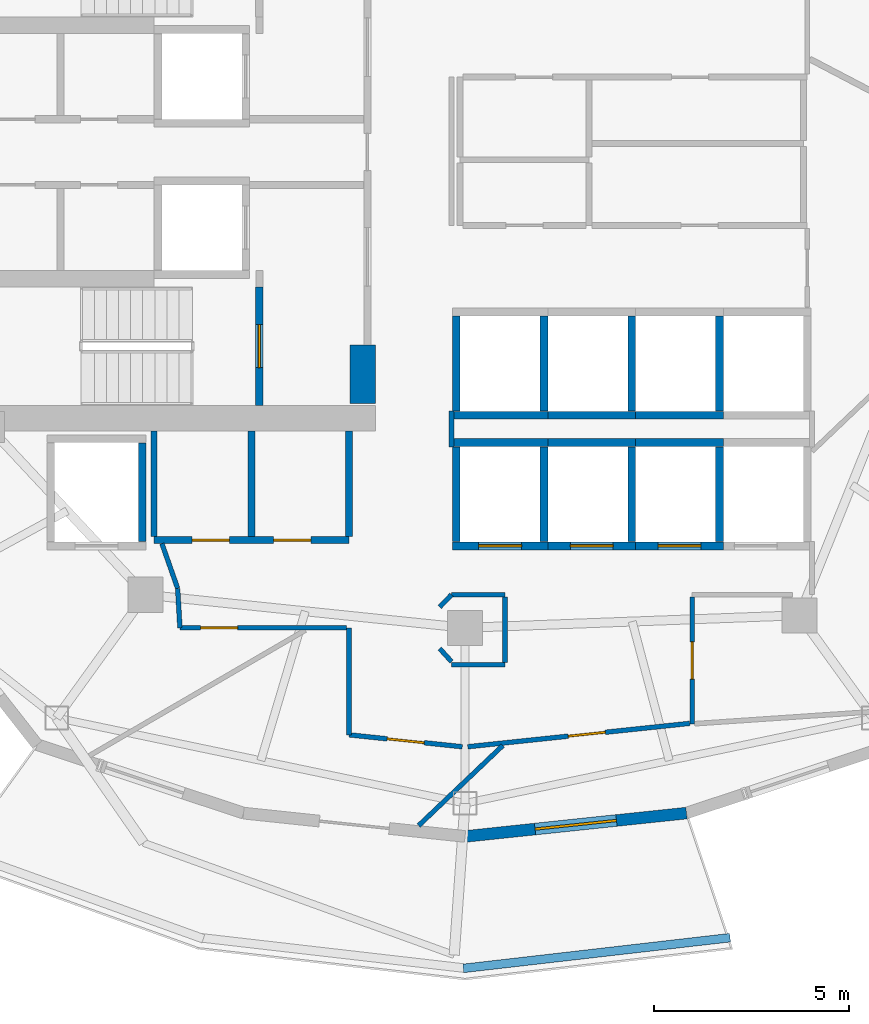
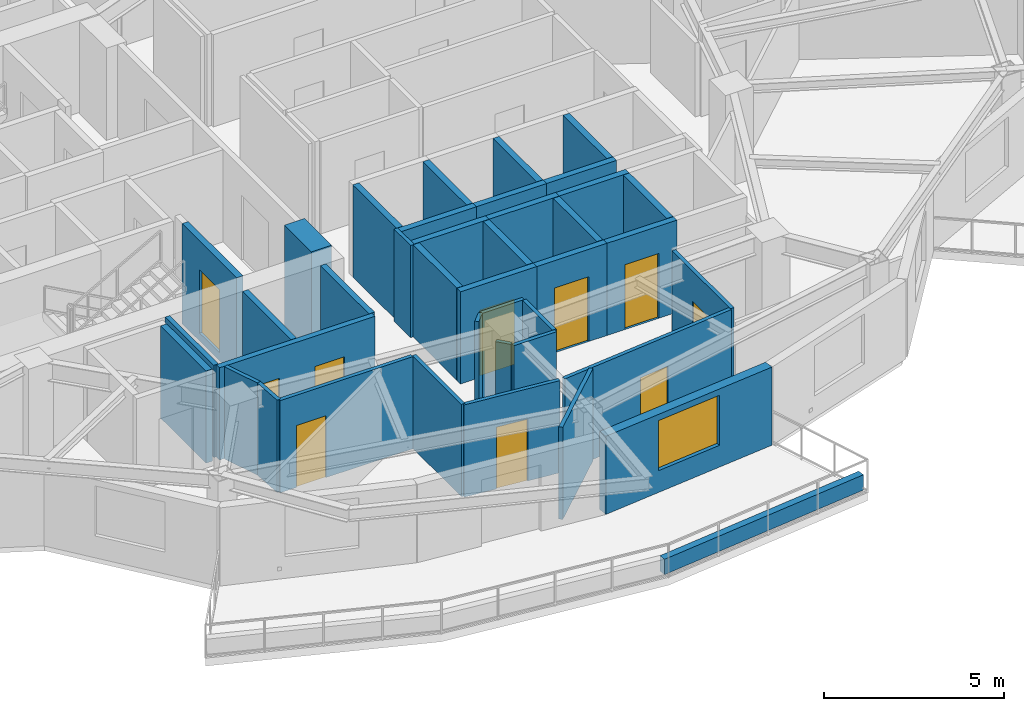
# One storey, part 3 of 11: 40 walls, 10 doors, 1 window, 11 openings.
"""IFC4 building model written with IfcOpenShell, lengths in metres."""

from ifc_helpers import new_model, si_unit, direction, frame, frame_2d, origin, place, context, subcontext, project, spatial, rectangle, extrude, material, layer, layer_set, type_object, element, fill, save


model = new_model("IFC4")

# Units and contexts
model_context = context("Model", 3, precision=1e-05, world=origin(), true_north=direction((0.0, 1.0)))
body_context = subcontext(model_context, "Body", "Model", "MODEL_VIEW")
ifc_project = project(units=[si_unit("LENGTHUNIT", "METRE"), si_unit("AREAUNIT", "SQUARE_METRE"), si_unit("VOLUMEUNIT", "CUBIC_METRE"), si_unit("PLANEANGLEUNIT", "RADIAN"), si_unit("MASSUNIT", "GRAM", prefix="KILO")], contexts=[model_context])

# Site, building, storey
site_placement = place(None, origin())
site = spatial("IfcSite", under=ifc_project, at=site_placement, CompositionType="ELEMENT")
building_placement = place(site_placement, origin())
building = spatial("IfcBuilding", under=site, at=building_placement, Name="Kolvaren Gate Tower and Convention Centre", CompositionType="ELEMENT")
storey_placement = place(building_placement, frame((0.0, 0.0, 159.699951171875)))
storey = spatial("IfcBuildingStorey", under=building, at=storey_placement, Name="L41", CompositionType="ELEMENT", Elevation=159.699951171875)

# Wall, openings, doors
ifc_material_1 = material(Name="Autoclaved Aerated Masonry Blockwork Class 4 (4.0 MPa)", Category="masonry")
ifc_layer_1 = layer(ifc_material_1, 0.179931640625)
ifc_layer_set_1 = layer_set([ifc_layer_1], Name="Autoclaved Aerated Masonry Blockwork Class 4 (4.0 MPa)")
wall_type_1 = type_object("IfcWallType", Name="ARCH-WL-COMP-180", PredefinedType="SOLIDWALL", material=ifc_layer_set_1)
wall_1_placement = place(storey_placement, frame((22.14990234375, 17.050048828125, 0.0), z_axis=(0.0, 0.0, 1.0), x_axis=(1.0, 0.0, 0.0)))
wall_1 = element("IfcWall", 1, at=wall_1_placement, inside=storey, type_object=wall_type_1, Name="Interior Partition WL-L41-INT-011", PredefinedType="SOLIDWALL", context=body_context, shape_type="SweptSolid", body=[
    extrude(rectangle(XDim=5.0, YDim=0.179931640625, at=frame_2d((2.5, 0.0))), origin(), (0.0, 0.0, 1.0), 3.130126953125),
])
opening_1_placement = place(wall_1_placement, frame((0.97998046875, 0.0, 0.0)))
opening_1 = element("IfcOpeningElement", 2, at=opening_1_placement, cuts=wall_1, Name="Opening DR-01", PredefinedType="OPENING", context=body_context, shape_type="SweptSolid", body=[
    extrude(rectangle(XDim=0.949951171875, YDim=2.10009765625, at=frame_2d((0.47509765625, 1.050048828125))), frame((0.0, 0.099853515625, 0.0), z_axis=(0.0, -1.0, 0.0), x_axis=(1.0, 0.0, 0.0)), (0.0, 0.0, 1.0), 0.199951171875),
])
opening_2_placement = place(wall_1_placement, frame((3.070068359375, 0.0, 0.0)))
opening_2 = element("IfcOpeningElement", 3, at=opening_2_placement, cuts=wall_1, Name="Opening DR-01", PredefinedType="OPENING", context=body_context, shape_type="SweptSolid", body=[
    extrude(rectangle(XDim=0.949951171875, YDim=2.10009765625, at=frame_2d((0.47509765625, 1.050048828125))), frame((0.0, 0.099853515625, 0.0), z_axis=(0.0, -1.0, 0.0), x_axis=(1.0, 0.0, 0.0)), (0.0, 0.0, 1.0), 0.199951171875),
])
ifc_material_2 = material(Name="Painted Architectural Steelwork ASTM A500 Grade C 345 MPa", Category="steel")
door_type_1 = type_object("IfcDoorType", Name="ARCH-DR-RISER-950", OperationType="SINGLE_SWING_RIGHT", PredefinedType="DOOR", material=ifc_material_2)
door_1_placement = place(opening_1_placement, origin())
door_1 = element("IfcDoor", 4, at=door_1_placement, inside=storey, type_object=door_type_1, Name="West Valet Store Door", OperationType="SINGLE_SWING_RIGHT", OverallHeight=2.10009765625, OverallWidth=0.949951171875, PredefinedType="DOOR", context=body_context, shape_type="SweptSolid", body=[
    extrude(rectangle(XDim=0.949951171875, YDim=2.10009765625, at=frame_2d((0.47509765625, 1.050048828125))), frame((0.0, 0.02490234375, 0.0), z_axis=(0.0, -1.0, 0.0), x_axis=(1.0, 0.0, 0.0)), (0.0, 0.0, 1.0), 0.050048828125),
])
fill(opening_1, door_1)
door_2_placement = place(opening_2_placement, origin())
door_2 = element("IfcDoor", 5, at=door_2_placement, inside=storey, type_object=door_type_1, Name="Metering Switch Room Door", OperationType="SINGLE_SWING_LEFT", OverallHeight=2.10009765625, OverallWidth=0.949951171875, PredefinedType="DOOR", context=body_context, shape_type="SweptSolid", body=[
    extrude(rectangle(XDim=0.949951171875, YDim=2.10009765625, at=frame_2d((0.47509765625, 1.050048828125))), frame((0.0, 0.02490234375, 0.0), z_axis=(0.0, -1.0, 0.0), x_axis=(1.0, 0.0, 0.0)), (0.0, 0.0, 1.0), 0.050048828125),
])
fill(opening_2, door_2)

# Walls
for number, where, z_axis, x_axis, name in (
    (6, (24.64990234375, 17.14208984375, 0.0), (0.0, 0.0, 1.0), (0.0, 1.0, 0.0), "Interior Partition WL-L41-INT-013"),
    (7, (27.14990234375, 17.14208984375, 0.0), (0.0, 0.0, 1.0), (0.0, 1.0, 0.0), "Interior Partition WL-L41-INT-015"),
):
    element("IfcWall", number, at=place(storey_placement, frame(where, z_axis=z_axis, x_axis=x_axis)), inside=storey, type_object=wall_type_1, Name=name, PredefinedType="SOLIDWALL", context=body_context, shape_type="SweptSolid", body=[
        extrude(rectangle(XDim=2.705810546875, YDim=0.179931640625, at=frame_2d((1.35302734375, 0.0))), origin(), (0.0, 0.0, 1.0), 3.130126953125),
    ])
ifc_material_3 = material(Name="Fire-Rated Acoustic Gypsum Stud Partition", Category="gypsum")
ifc_layer_2 = layer(ifc_material_3, 0.1201171875)
ifc_layer_set_2 = layer_set([ifc_layer_2], Name="Fire-Rated Acoustic Gypsum Stud Partition")
wall_type_2 = type_object("IfcWallType", Name="ARCH-WL-PART-120", PredefinedType="PARTITIONING", material=ifc_layer_set_2)
wall_2_placement = place(storey_placement, frame((27.14990234375, 12.055908203125, 0.0), z_axis=(0.0, 0.0, 1.0), x_axis=(0.0, 1.0, 0.0)))
element("IfcWall", 8, at=wall_2_placement, inside=storey, type_object=wall_type_2, Name="Interior Partition WL-L41-INT-014", PredefinedType="PARTITIONING", context=body_context, shape_type="SweptSolid", body=[
    extrude(rectangle(XDim=2.744140625, YDim=0.1201171875, at=frame_2d((1.3720703125, 0.0))), origin(), (0.0, 0.0, 1.0), 3.130126953125),
])
wall_3_placement = place(storey_placement, frame((29.780029296875, 15.64990234375, 0.0), z_axis=(0.0, 0.0, 1.0), x_axis=(1.0, 0.0, 0.0)))
element("IfcWall", 9, at=wall_3_placement, inside=storey, type_object=wall_type_2, Name="Interior Partition WL-L41-INT-030", PredefinedType="PARTITIONING", context=body_context, shape_type="SweptSolid", body=[
    extrude(rectangle(XDim=1.369873046875, YDim=0.1201171875, at=frame_2d((0.68505859375, 0.0))), origin(), (0.0, 0.0, 1.0), 3.130126953125),
])

# Wall, opening, door
wall_4_placement = place(storey_placement, frame((35.949951171875, 12.3359375, 0.0), z_axis=(0.0, 0.0, 1.0), x_axis=(0.0, 1.0, 0.0)))
wall_4 = element("IfcWall", 10, at=wall_4_placement, inside=storey, type_object=wall_type_2, Name="Interior Partition WL-L41-INT-032", PredefinedType="PARTITIONING", context=body_context, shape_type="SweptSolid", body=[
    extrude(rectangle(XDim=3.251953125, YDim=0.1201171875, at=frame_2d((1.6259765625, 0.0))), origin(), (0.0, 0.0, 1.0), 3.130126953125),
])
opening_3_placement = place(wall_4_placement, frame((1.15087890625, 0.0, 0.0)))
opening_3 = element("IfcOpeningElement", 11, at=opening_3_placement, cuts=wall_4, Name="Opening DR-01", PredefinedType="OPENING", context=body_context, shape_type="SweptSolid", body=[
    extrude(rectangle(XDim=0.949951171875, YDim=2.10009765625, at=frame_2d((0.47509765625, 1.050048828125))), frame((0.0, 0.070068359375, 0.0), z_axis=(0.0, -1.0, 0.0), x_axis=(1.0, 0.0, 0.0)), (0.0, 0.0, 1.0), 0.14013671875),
])
door_3_placement = place(opening_3_placement, origin())
door_3 = element("IfcDoor", 12, at=door_3_placement, inside=storey, type_object=door_type_1, Name="Hotel Seminar Conference Room Door", OperationType="SINGLE_SWING_LEFT", OverallHeight=2.10009765625, OverallWidth=0.949951171875, PredefinedType="DOOR", context=body_context, shape_type="SweptSolid", body=[
    extrude(rectangle(XDim=0.949951171875, YDim=2.10009765625, at=frame_2d((0.47509765625, 1.050048828125))), frame((0.0, 0.02490234375, 0.0), z_axis=(0.0, -1.0, 0.0), x_axis=(1.0, 0.0, 0.0)), (0.0, 0.0, 1.0), 0.050048828125),
])
fill(opening_3, door_3)

wall_5_placement = place(storey_placement, frame((30.195068359375, 11.75, 0.0), z_axis=(0.0, 0.0, 1.0), x_axis=(0.994498907508, 0.104746947287, 0.0)))
wall_5 = element("IfcWall", 13, at=wall_5_placement, inside=storey, type_object=wall_type_2, Name="Interior Partition WL-L41-INT-033", PredefinedType="PARTITIONING", context=body_context, shape_type="SweptSolid", body=[
    extrude(rectangle(XDim=5.724365234375, YDim=0.1201171875, at=frame_2d((2.8623046875, 0.0))), origin(), (0.0, 0.0, 1.0), 3.130126953125),
])
opening_4_placement = place(wall_5_placement, frame((2.59423828125, 0.0, 0.0)))
opening_4 = element("IfcOpeningElement", 14, at=opening_4_placement, cuts=wall_5, Name="Opening DR-01", PredefinedType="OPENING", context=body_context, shape_type="SweptSolid", body=[
    extrude(rectangle(XDim=0.949951171875, YDim=2.10009765625, at=frame_2d((0.47509765625, 1.050048828125))), frame((0.0, 0.070068359375, 0.0), z_axis=(0.0, -1.0, 0.0), x_axis=(1.0, 0.0, 0.0)), (0.0, 0.0, 1.0), 0.14013671875),
])
door_4_placement = place(opening_4_placement, origin())
door_4 = element("IfcDoor", 15, at=door_4_placement, inside=storey, type_object=door_type_1, Name="Consultation Meeting Room Door", OperationType="SINGLE_SWING_RIGHT", OverallHeight=2.10009765625, OverallWidth=0.949951171875, PredefinedType="DOOR", context=body_context, shape_type="SweptSolid", body=[
    extrude(rectangle(XDim=0.949951171875, YDim=2.10009765625, at=frame_2d((0.47509765625, 1.050048828125))), frame((0.0, 0.02490234375, 0.0), z_axis=(0.0, -1.0, 0.0), x_axis=(1.0, 0.0, 0.0)), (0.0, 0.0, 1.0), 0.050048828125),
])
fill(opening_4, door_4)

wall_6_placement = place(storey_placement, frame((27.14990234375, 12.055908203125, 0.0), z_axis=(0.0, 0.0, 1.0), x_axis=(0.994501330468, -0.104723940422, 0.0)))
wall_6 = element("IfcWall", 16, at=wall_6_placement, inside=storey, type_object=wall_type_2, Name="Interior Partition WL-L41-INT-034", PredefinedType="PARTITIONING", context=body_context, shape_type="SweptSolid", body=[
    extrude(rectangle(XDim=2.921142578125, YDim=0.1201171875, at=frame_2d((1.46044921875, 0.0))), origin(), (0.0, 0.0, 1.0), 3.130126953125),
])
opening_5_placement = place(wall_6_placement, frame((0.985595703125, 0.0, 0.0)))
opening_5 = element("IfcOpeningElement", 17, at=opening_5_placement, cuts=wall_6, Name="Opening DR-01", PredefinedType="OPENING", context=body_context, shape_type="SweptSolid", body=[
    extrude(rectangle(XDim=0.949951171875, YDim=2.10009765625, at=frame_2d((0.47509765625, 1.050048828125))), frame((0.0, 0.070068359375, 0.0), z_axis=(0.0, -1.0, 0.0), x_axis=(1.0, 0.0, 0.0)), (0.0, 0.0, 1.0), 0.14013671875),
])
door_5_placement = place(opening_5_placement, origin())
door_5 = element("IfcDoor", 18, at=door_5_placement, inside=storey, type_object=door_type_1, Name="Hotel Seminar Conference Room Door", OperationType="SINGLE_SWING_LEFT", OverallHeight=2.10009765625, OverallWidth=0.949951171875, PredefinedType="DOOR", context=body_context, shape_type="SweptSolid", body=[
    extrude(rectangle(XDim=0.949951171875, YDim=2.10009765625, at=frame_2d((0.47509765625, 1.050048828125))), frame((0.0, 0.02490234375, 0.0), z_axis=(0.0, -1.0, 0.0), x_axis=(1.0, 0.0, 0.0)), (0.0, 0.0, 1.0), 0.050048828125),
])
fill(opening_5, door_5)

wall_7_placement = place(storey_placement, frame((22.81396484375, 14.800048828125, 0.0), z_axis=(0.0, 0.0, 1.0), x_axis=(1.0, 0.0, 0.0)))
wall_7 = element("IfcWall", 19, at=wall_7_placement, inside=storey, type_object=wall_type_2, Name="Interior Partition WL-L41-INT-035", PredefinedType="PARTITIONING", context=body_context, shape_type="SweptSolid", body=[
    extrude(rectangle(XDim=4.27392578125, YDim=0.1201171875, at=frame_2d((2.136962890625, 0.0))), origin(), (0.0, 0.0, 1.0), 3.130126953125),
])
opening_6_placement = place(wall_7_placement, frame((0.52880859375, 0.0, 0.0)))
opening_6 = element("IfcOpeningElement", 20, at=opening_6_placement, cuts=wall_7, Name="Opening DR-01", PredefinedType="OPENING", context=body_context, shape_type="SweptSolid", body=[
    extrude(rectangle(XDim=0.949951171875, YDim=2.10009765625, at=frame_2d((0.47509765625, 1.050048828125))), frame((0.0, 0.070068359375, 0.0), z_axis=(0.0, -1.0, 0.0), x_axis=(1.0, 0.0, 0.0)), (0.0, 0.0, 1.0), 0.14013671875),
])
door_6_placement = place(opening_6_placement, origin())
door_6 = element("IfcDoor", 21, at=door_6_placement, inside=storey, type_object=door_type_1, Name="Hotel Seminar Conference Room Door", OperationType="SINGLE_SWING_RIGHT", OverallHeight=2.10009765625, OverallWidth=0.949951171875, PredefinedType="DOOR", context=body_context, shape_type="SweptSolid", body=[
    extrude(rectangle(XDim=0.949951171875, YDim=2.10009765625, at=frame_2d((0.47509765625, 1.050048828125))), frame((0.0, 0.02490234375, 0.0), z_axis=(0.0, -1.0, 0.0), x_axis=(1.0, 0.0, 0.0)), (0.0, 0.0, 1.0), 0.050048828125),
])
fill(opening_6, door_6)

# Walls
wall_8_placement = place(storey_placement, frame((22.756103515625, 15.81103515625, 0.0), z_axis=(0.0, 0.0, 1.0), x_axis=(0.057139047697, -0.998366230012, 0.0)))
element("IfcWall", 22, at=wall_8_placement, inside=storey, type_object=wall_type_2, Name="Interior Partition WL-L41-INT-036", PredefinedType="PARTITIONING", context=body_context, shape_type="SweptSolid", body=[
    extrude(rectangle(XDim=1.0126953125, YDim=0.1201171875, at=frame_2d((0.50634765625, 0.0))), origin(), (0.0, 0.0, 1.0), 3.130126953125),
])
wall_9_placement = place(storey_placement, frame((22.353271484375, 16.9580078125, 0.0), z_axis=(0.0, 0.0, 1.0), x_axis=(0.331370038458, -0.943500873138, 0.0)))
element("IfcWall", 23, at=wall_9_placement, inside=storey, type_object=wall_type_2, Name="Interior Partition WL-L41-INT-037", PredefinedType="PARTITIONING", context=body_context, shape_type="SweptSolid", body=[
    extrude(rectangle(XDim=1.215576171875, YDim=0.1201171875, at=frame_2d((0.60791015625, 0.0))), origin(), (0.0, 0.0, 1.0), 3.130126953125),
])
wall_10_placement = place(storey_placement, frame((29.780029296875, 19.43994140625, 0.0), z_axis=(0.0, 0.0, 1.0), x_axis=(0.0, 1.0, 0.0)))
element("IfcWall", 24, at=wall_10_placement, inside=storey, type_object=wall_type_2, Name="Interior Partition WL-L41-INT-040", PredefinedType="PARTITIONING", context=body_context, shape_type="SweptSolid", body=[
    extrude(rectangle(XDim=0.920166015625, YDim=0.1201171875, at=frame_2d((0.4599609375, 0.0))), origin(), (0.0, 0.0, 1.0), 3.130126953125),
])
wall_11_placement = place(storey_placement, frame((29.47607421875, 15.3330078125, 0.0), z_axis=(0.0, 0.0, 1.0), x_axis=(0.692219273951, 0.721687243043, 0.0)))
element("IfcWall", 25, at=wall_11_placement, inside=storey, type_object=wall_type_2, Name="Interior Partition WL-L41-INT-051", PredefinedType="PARTITIONING", context=body_context, shape_type="SweptSolid", body=[
    extrude(rectangle(XDim=0.439208984375, YDim=0.1201171875, at=frame_2d((0.2197265625, 0.0))), origin(), (0.0, 0.0, 1.0), 3.130126953125),
])
wall_12_placement = place(storey_placement, frame((29.47607421875, 14.26708984375, 0.0), z_axis=(0.0, 0.0, 1.0), x_axis=(0.670659392016, -0.741765448037, 0.0)))
element("IfcWall", 26, at=wall_12_placement, inside=storey, type_object=wall_type_2, Name="Interior Partition WL-L41-INT-052", PredefinedType="PARTITIONING", context=body_context, shape_type="SweptSolid", body=[
    extrude(rectangle(XDim=0.453125, YDim=0.1201171875, at=frame_2d((0.2265625, 0.0))), origin(), (0.0, 0.0, 1.0), 3.130126953125),
])
wall_13_placement = place(storey_placement, frame((29.780029296875, 13.85009765625, 0.0), z_axis=(0.0, 0.0, 1.0), x_axis=(1.0, 0.0, 0.0)))
element("IfcWall", 27, at=wall_13_placement, inside=storey, type_object=wall_type_2, Name="Interior Partition WL-L41-INT-053", PredefinedType="PARTITIONING", context=body_context, shape_type="SweptSolid", body=[
    extrude(rectangle(XDim=1.369873046875, YDim=0.1201171875, at=frame_2d((0.68505859375, 0.0))), origin(), (0.0, 0.0, 1.0), 3.130126953125),
])
wall_14_placement = place(storey_placement, frame((31.14990234375, 13.912109375, 0.0), z_axis=(0.0, 0.0, 1.0), x_axis=(0.0, 1.0, 0.0)))
element("IfcWall", 28, at=wall_14_placement, inside=storey, type_object=wall_type_2, Name="Interior Partition WL-L41-INT-054", PredefinedType="PARTITIONING", context=body_context, shape_type="SweptSolid", body=[
    extrude(rectangle(XDim=1.67578125, YDim=0.1201171875, at=frame_2d((0.837890625, 0.0))), origin(), (0.0, 0.0, 1.0), 3.130126953125),
])
wall_15_placement = place(storey_placement, frame((28.9345703125, 9.728271484375, 0.0), z_axis=(0.0, 0.0, 1.0), x_axis=(0.724541098321, 0.689231598843, 0.0)))
element("IfcWall", 29, at=wall_15_placement, inside=storey, type_object=wall_type_2, Name="Interior Partition WL-L41-INT-058", PredefinedType="PARTITIONING", context=body_context, shape_type="SweptSolid", body=[
    extrude(rectangle(XDim=2.97998046875, YDim=0.1201171875, at=frame_2d((1.489990234375, 0.0))), origin(), (0.0, 0.0, 1.0), 3.130126953125),
])
ifc_material_4 = material(Name="Piedmont Cream Honed Limestone Cladding", Category="masonry")
ifc_layer_3 = layer(ifc_material_4, 0.219970703125)
ifc_layer_set_3 = layer_set([ifc_layer_3], Name="Piedmont Cream Honed Limestone Cladding")
wall_type_3 = type_object("IfcWallType", Name="ARCH-WL-PLANTER-220", PredefinedType="PARAPET", material=ifc_layer_set_3)
wall_16_placement = place(storey_placement, frame((30.07958984375, 6.06640625, 0.0), z_axis=(0.0, 0.0, 1.0), x_axis=(0.993440576506, 0.114349555972, 0.0)))
element("IfcWall", 30, at=wall_16_placement, inside=storey, type_object=wall_type_3, Name="Vertical-Forest Balcony Stone Planter Kerb PK-L41-3.3", PredefinedType="PARAPET", context=body_context, shape_type="SweptSolid", body=[
    extrude(rectangle(XDim=6.885498046875, YDim=0.219970703125, at=frame_2d((3.44287109375, 0.0))), origin(), (0.0, 0.0, 1.0), 0.52001953125),
])
ifc_layer_4 = layer(ifc_material_1, 0.199951171875)
ifc_layer_set_4 = layer_set([ifc_layer_4], Name="Autoclaved Aerated Masonry Blockwork Class 4 (4.0 MPa)")
wall_type_4 = type_object("IfcWallType", Name="ARCH-WL-SHAFT-200", PredefinedType="SOLIDWALL", material=ifc_layer_set_4)
wall_17_placement = place(storey_placement, frame((21.85009765625, 17.010009765625, 0.0), z_axis=(0.0, 0.0, 1.0), x_axis=(0.0, 1.0, 0.0)))
element("IfcWall", 31, at=wall_17_placement, inside=storey, type_object=wall_type_4, Name="Elevator SV-01 L41 Fire Shaft Wall E", PredefinedType="SOLIDWALL", context=body_context, shape_type="SweptSolid", body=[
    extrude(rectangle(XDim=2.530029296875, YDim=0.199951171875, at=frame_2d((1.26513671875, 0.0))), origin(), (0.0, 0.0, 1.0), 3.130126953125),
])
wall_18_placement = place(storey_placement, frame((29.800048828125, 19.550048828125, 0.0), z_axis=(0.0, 0.0, 1.0), x_axis=(1.0, 0.0, 0.0)))
element("IfcWall", 32, at=wall_18_placement, inside=storey, type_object=wall_type_4, Name="Elevator PL-05 L41 Fire Shaft Wall N", PredefinedType="SOLIDWALL", context=body_context, shape_type="SweptSolid", body=[
    extrude(rectangle(XDim=2.449951171875, YDim=0.199951171875, at=frame_2d((1.22509765625, 0.0))), origin(), (0.0, 0.0, 1.0), 3.130126953125),
])

# Wall, opening, door
wall_19_placement = place(storey_placement, frame((29.800048828125, 16.89990234375, 0.0), z_axis=(0.0, 0.0, 1.0), x_axis=(1.0, 0.0, 0.0)))
wall_19 = element("IfcWall", 33, at=wall_19_placement, inside=storey, type_object=wall_type_4, Name="Elevator PL-05 L41 Fire Shaft Wall S", PredefinedType="SOLIDWALL", context=body_context, shape_type="SweptSolid", body=[
    extrude(rectangle(XDim=2.449951171875, YDim=0.199951171875, at=frame_2d((1.22509765625, 0.0))), origin(), (0.0, 0.0, 1.0), 3.130126953125),
])
opening_7_placement = place(wall_19_placement, frame((0.675048828125, 0.0, 0.0)))
opening_7 = element("IfcOpeningElement", 34, at=opening_7_placement, cuts=wall_19, Name="Opening LD", PredefinedType="OPENING", context=body_context, shape_type="SweptSolid", body=[
    extrude(rectangle(XDim=1.10009765625, YDim=2.199951171875, at=frame_2d((0.550048828125, 1.10009765625))), frame((0.0, 0.10986328125, 0.0), z_axis=(0.0, -1.0, 0.0), x_axis=(1.0, 0.0, 0.0)), (0.0, 0.0, 1.0), 0.219970703125),
])
ifc_material_5 = material(Name="Brushed Stainless Steel Grade 316L", Category="steel")
door_type_2 = type_object("IfcDoorType", Name="ARCH-DR-LIFT-1100", OperationType="SLIDING_TO_LEFT", PredefinedType="DOOR", material=ifc_material_5)
door_7_placement = place(opening_7_placement, origin())
door_7 = element("IfcDoor", 35, at=door_7_placement, inside=storey, type_object=door_type_2, Name="Elevator PL-05 L41 Sliding Landing Door", OperationType="SLIDING_TO_LEFT", OverallHeight=2.199951171875, OverallWidth=1.10009765625, PredefinedType="DOOR", context=body_context, shape_type="SweptSolid", body=[
    extrude(rectangle(XDim=1.10009765625, YDim=2.199951171875, at=frame_2d((0.550048828125, 1.10009765625))), frame((0.0, 0.02490234375, 0.0), z_axis=(0.0, -1.0, 0.0), x_axis=(1.0, 0.0, 0.0)), (0.0, 0.0, 1.0), 0.050048828125),
])
fill(opening_7, door_7)

# Walls
for number, where, z_axis, x_axis, name in (
    (36, (29.89990234375, 17.010009765625, 0.0), (0.0, 0.0, 1.0), (0.0, 1.0, 0.0), "Elevator PL-05 L41 Fire Shaft Wall W"),
    (37, (32.14990234375, 17.010009765625, 0.0), (0.0, 0.0, 1.0), (0.0, 1.0, 0.0), "Elevator PL-05 L41 Fire Shaft Wall E"),
):
    element("IfcWall", number, at=place(storey_placement, frame(where, z_axis=z_axis, x_axis=x_axis)), inside=storey, type_object=wall_type_4, Name=name, PredefinedType="SOLIDWALL", context=body_context, shape_type="SweptSolid", body=[
        extrude(rectangle(XDim=2.429931640625, YDim=0.199951171875, at=frame_2d((1.21484375, 0.0))), origin(), (0.0, 0.0, 1.0), 3.130126953125),
    ])
wall_20_placement = place(storey_placement, frame((32.25, 19.550048828125, 0.0), z_axis=(0.0, 0.0, 1.0), x_axis=(1.0, 0.0, 0.0)))
element("IfcWall", 38, at=wall_20_placement, inside=storey, type_object=wall_type_4, Name="Elevator PL-06 L41 Fire Shaft Wall N", PredefinedType="SOLIDWALL", context=body_context, shape_type="SweptSolid", body=[
    extrude(rectangle(XDim=2.25, YDim=0.199951171875, at=frame_2d((1.125, 0.0))), origin(), (0.0, 0.0, 1.0), 3.130126953125),
])

# Wall, opening, door
wall_21_placement = place(storey_placement, frame((32.25, 16.89990234375, 0.0), z_axis=(0.0, 0.0, 1.0), x_axis=(1.0, 0.0, 0.0)))
wall_21 = element("IfcWall", 39, at=wall_21_placement, inside=storey, type_object=wall_type_4, Name="Elevator PL-06 L41 Fire Shaft Wall S", PredefinedType="SOLIDWALL", context=body_context, shape_type="SweptSolid", body=[
    extrude(rectangle(XDim=2.25, YDim=0.199951171875, at=frame_2d((1.125, 0.0))), origin(), (0.0, 0.0, 1.0), 3.130126953125),
])
opening_8_placement = place(wall_21_placement, frame((0.574951171875, 0.0, 0.0)))
opening_8 = element("IfcOpeningElement", 40, at=opening_8_placement, cuts=wall_21, Name="Opening LD", PredefinedType="OPENING", context=body_context, shape_type="SweptSolid", body=[
    extrude(rectangle(XDim=1.10009765625, YDim=2.199951171875, at=frame_2d((0.550048828125, 1.10009765625))), frame((0.0, 0.10986328125, 0.0), z_axis=(0.0, -1.0, 0.0), x_axis=(1.0, 0.0, 0.0)), (0.0, 0.0, 1.0), 0.219970703125),
])
door_8_placement = place(opening_8_placement, origin())
door_8 = element("IfcDoor", 41, at=door_8_placement, inside=storey, type_object=door_type_2, Name="Elevator PL-06 L41 Sliding Landing Door", OperationType="SLIDING_TO_LEFT", OverallHeight=2.199951171875, OverallWidth=1.10009765625, PredefinedType="DOOR", context=body_context, shape_type="SweptSolid", body=[
    extrude(rectangle(XDim=1.10009765625, YDim=2.199951171875, at=frame_2d((0.550048828125, 1.10009765625))), frame((0.0, 0.02490234375, 0.0), z_axis=(0.0, -1.0, 0.0), x_axis=(1.0, 0.0, 0.0)), (0.0, 0.0, 1.0), 0.050048828125),
])
fill(opening_8, door_8)

# Walls
wall_22_placement = place(storey_placement, frame((34.39990234375, 17.010009765625, 0.0), z_axis=(0.0, 0.0, 1.0), x_axis=(0.0, 1.0, 0.0)))
element("IfcWall", 42, at=wall_22_placement, inside=storey, type_object=wall_type_4, Name="Elevator PL-06 L41 Fire Shaft Wall E", PredefinedType="SOLIDWALL", context=body_context, shape_type="SweptSolid", body=[
    extrude(rectangle(XDim=2.429931640625, YDim=0.199951171875, at=frame_2d((1.21484375, 0.0))), origin(), (0.0, 0.0, 1.0), 3.130126953125),
])
wall_23_placement = place(storey_placement, frame((34.5, 19.550048828125, 0.0), z_axis=(0.0, 0.0, 1.0), x_axis=(1.0, 0.0, 0.0)))
element("IfcWall", 43, at=wall_23_placement, inside=storey, type_object=wall_type_4, Name="Elevator PL-07 L41 Fire Shaft Wall N", PredefinedType="SOLIDWALL", context=body_context, shape_type="SweptSolid", body=[
    extrude(rectangle(XDim=2.25, YDim=0.199951171875, at=frame_2d((1.125, 0.0))), origin(), (0.0, 0.0, 1.0), 3.130126953125),
])

# Wall, opening, door
wall_24_placement = place(storey_placement, frame((34.5, 16.89990234375, 0.0), z_axis=(0.0, 0.0, 1.0), x_axis=(1.0, 0.0, 0.0)))
wall_24 = element("IfcWall", 44, at=wall_24_placement, inside=storey, type_object=wall_type_4, Name="Elevator PL-07 L41 Fire Shaft Wall S", PredefinedType="SOLIDWALL", context=body_context, shape_type="SweptSolid", body=[
    extrude(rectangle(XDim=2.25, YDim=0.199951171875, at=frame_2d((1.125, 0.0))), origin(), (0.0, 0.0, 1.0), 3.130126953125),
])
opening_9_placement = place(wall_24_placement, frame((0.574951171875, 0.0, 0.0)))
opening_9 = element("IfcOpeningElement", 45, at=opening_9_placement, cuts=wall_24, Name="Opening LD", PredefinedType="OPENING", context=body_context, shape_type="SweptSolid", body=[
    extrude(rectangle(XDim=1.10009765625, YDim=2.199951171875, at=frame_2d((0.550048828125, 1.10009765625))), frame((0.0, 0.10986328125, 0.0), z_axis=(0.0, -1.0, 0.0), x_axis=(1.0, 0.0, 0.0)), (0.0, 0.0, 1.0), 0.219970703125),
])
door_9_placement = place(opening_9_placement, origin())
door_9 = element("IfcDoor", 46, at=door_9_placement, inside=storey, type_object=door_type_2, Name="Elevator PL-07 L41 Sliding Landing Door", OperationType="SLIDING_TO_LEFT", OverallHeight=2.199951171875, OverallWidth=1.10009765625, PredefinedType="DOOR", context=body_context, shape_type="SweptSolid", body=[
    extrude(rectangle(XDim=1.10009765625, YDim=2.199951171875, at=frame_2d((0.550048828125, 1.10009765625))), frame((0.0, 0.02490234375, 0.0), z_axis=(0.0, -1.0, 0.0), x_axis=(1.0, 0.0, 0.0)), (0.0, 0.0, 1.0), 0.050048828125),
])
fill(opening_9, door_9)

# Walls
wall_25_placement = place(storey_placement, frame((36.64990234375, 17.010009765625, 0.0), z_axis=(0.0, 0.0, 1.0), x_axis=(0.0, 1.0, 0.0)))
element("IfcWall", 47, at=wall_25_placement, inside=storey, type_object=wall_type_4, Name="Elevator PL-07 L41 Fire Shaft Wall E", PredefinedType="SOLIDWALL", context=body_context, shape_type="SweptSolid", body=[
    extrude(rectangle(XDim=2.429931640625, YDim=0.199951171875, at=frame_2d((1.21484375, 0.0))), origin(), (0.0, 0.0, 1.0), 3.130126953125),
])
wall_26_placement = place(storey_placement, frame((29.800048828125, 20.25, 0.0), z_axis=(0.0, 0.0, 1.0), x_axis=(1.0, 0.0, 0.0)))
element("IfcWall", 48, at=wall_26_placement, inside=storey, type_object=wall_type_4, Name="Elevator PL-09 L41 Fire Shaft Wall S", PredefinedType="SOLIDWALL", context=body_context, shape_type="SweptSolid", body=[
    extrude(rectangle(XDim=2.449951171875, YDim=0.199951171875, at=frame_2d((1.22509765625, 0.0))), origin(), (0.0, 0.0, 1.0), 3.130126953125),
])
for number, where, z_axis, x_axis, name in (
    (49, (29.89990234375, 20.360107421875, 0.0), (0.0, 0.0, 1.0), (0.0, 1.0, 0.0), "Elevator PL-09 L41 Fire Shaft Wall W"),
    (50, (32.14990234375, 20.360107421875, 0.0), (0.0, 0.0, 1.0), (0.0, 1.0, 0.0), "Elevator PL-09 L41 Fire Shaft Wall E"),
):
    element("IfcWall", number, at=place(storey_placement, frame(where, z_axis=z_axis, x_axis=x_axis)), inside=storey, type_object=wall_type_4, Name=name, PredefinedType="SOLIDWALL", context=body_context, shape_type="SweptSolid", body=[
        extrude(rectangle(XDim=2.429931640625, YDim=0.199951171875, at=frame_2d((1.21484375, 0.0))), origin(), (0.0, 0.0, 1.0), 3.130126953125),
    ])
wall_27_placement = place(storey_placement, frame((32.25, 20.25, 0.0), z_axis=(0.0, 0.0, 1.0), x_axis=(1.0, 0.0, 0.0)))
element("IfcWall", 51, at=wall_27_placement, inside=storey, type_object=wall_type_4, Name="Elevator PL-10 L41 Fire Shaft Wall S", PredefinedType="SOLIDWALL", context=body_context, shape_type="SweptSolid", body=[
    extrude(rectangle(XDim=2.25, YDim=0.199951171875, at=frame_2d((1.125, 0.0))), origin(), (0.0, 0.0, 1.0), 3.130126953125),
])
wall_28_placement = place(storey_placement, frame((34.39990234375, 20.360107421875, 0.0), z_axis=(0.0, 0.0, 1.0), x_axis=(0.0, 1.0, 0.0)))
element("IfcWall", 52, at=wall_28_placement, inside=storey, type_object=wall_type_4, Name="Elevator PL-10 L41 Fire Shaft Wall E", PredefinedType="SOLIDWALL", context=body_context, shape_type="SweptSolid", body=[
    extrude(rectangle(XDim=2.429931640625, YDim=0.199951171875, at=frame_2d((1.21484375, 0.0))), origin(), (0.0, 0.0, 1.0), 3.130126953125),
])
wall_29_placement = place(storey_placement, frame((34.5, 20.25, 0.0), z_axis=(0.0, 0.0, 1.0), x_axis=(1.0, 0.0, 0.0)))
element("IfcWall", 53, at=wall_29_placement, inside=storey, type_object=wall_type_4, Name="Elevator PL-11 L41 Fire Shaft Wall S", PredefinedType="SOLIDWALL", context=body_context, shape_type="SweptSolid", body=[
    extrude(rectangle(XDim=2.25, YDim=0.199951171875, at=frame_2d((1.125, 0.0))), origin(), (0.0, 0.0, 1.0), 3.130126953125),
])
wall_30_placement = place(storey_placement, frame((36.64990234375, 20.360107421875, 0.0), z_axis=(0.0, 0.0, 1.0), x_axis=(0.0, 1.0, 0.0)))
element("IfcWall", 54, at=wall_30_placement, inside=storey, type_object=wall_type_4, Name="Elevator PL-11 L41 Fire Shaft Wall E", PredefinedType="SOLIDWALL", context=body_context, shape_type="SweptSolid", body=[
    extrude(rectangle(XDim=2.429931640625, YDim=0.199951171875, at=frame_2d((1.21484375, 0.0))), origin(), (0.0, 0.0, 1.0), 3.130126953125),
])

# Wall, opening, window
ifc_layer_5 = layer(ifc_material_4, 0.300048828125)
ifc_layer_set_5 = layer_set([ifc_layer_5], Name="Piedmont Cream Honed Limestone Cladding")
wall_type_5 = type_object("IfcWallType", Name="ARCH-WL-STONE-300", PredefinedType="SOLIDWALL", material=ifc_layer_set_5)
wall_31_placement = place(storey_placement, frame((30.125, 9.449951171875, 0.0), z_axis=(0.0, 0.0, 1.0), x_axis=(0.994496545245, 0.104769372887, 0.0)))
wall_31 = element("IfcWall", 55, at=wall_31_placement, inside=storey, type_object=wall_type_5, Name="Tower L41 Honed Stone Spandrel Wall EW-18", PredefinedType="SOLIDWALL", context=body_context, shape_type="SweptSolid", body=[
    extrude(rectangle(XDim=5.709228515625, YDim=0.300048828125, at=frame_2d((2.8544921875, 0.0))), origin(), (0.0, 0.0, 1.0), 2.653076171875),
])
opening_10_placement = place(wall_31_placement, frame((1.804931640625, 0.0, 0.739990234375)))
opening_10 = element("IfcOpeningElement", 56, at=opening_10_placement, cuts=wall_31, Name="Opening W-02", PredefinedType="OPENING", context=body_context, shape_type="SweptSolid", body=[
    extrude(rectangle(XDim=2.10009765625, YDim=1.699951171875, at=frame_2d((1.050048828125, 0.85009765625))), frame((0.0, 0.159912109375, 0.0), z_axis=(0.0, -1.0, 0.0), x_axis=(1.0, 0.0, 0.0)), (0.0, 0.0, 1.0), 0.320068359375),
])
ifc_material_6 = material(Name="Low-E Triple Insulated Glazing Unit 44 mm", Category="glass")
window_type = type_object("IfcWindowType", Name="ARCH-WN-HTL-2100", PartitioningType="SINGLE_PANEL", PredefinedType="WINDOW", material=ifc_material_6)
window_placement = place(opening_10_placement, origin())
window = element("IfcWindow", 57, at=window_placement, inside=storey, type_object=window_type, Name="Tower L41 Punched Stone Facade Window W-18", OverallHeight=1.699951171875, OverallWidth=2.10009765625, PartitioningType="SINGLE_PANEL", PredefinedType="WINDOW", context=body_context, shape_type="SweptSolid", body=[
    extrude(rectangle(XDim=2.10009765625, YDim=1.699951171875, at=frame_2d((1.050048828125, 0.85009765625))), frame((0.0, 0.030029296875, 0.0), z_axis=(0.0, -1.0, 0.0), x_axis=(1.0, 0.0, 0.0)), (0.0, 0.0, 1.0), 0.06005859375),
])
fill(opening_10, window)

# Walls
ifc_material_7 = material(Name="Moisture-Resistant Cement-Board Acoustic Partition", Category="gypsum")
ifc_layer_6 = layer(ifc_material_7, 0.14990234375)
ifc_layer_set_6 = layer_set([ifc_layer_6], Name="Moisture-Resistant Cement-Board Acoustic Partition")
wall_type_6 = type_object("IfcWallType", Name="ARCH-WL-WET-150", PredefinedType="PARTITIONING", material=ifc_layer_set_6)
wall_32_placement = place(storey_placement, frame((22.14990234375, 17.14208984375, 0.0), z_axis=(0.0, 0.0, 1.0), x_axis=(0.0, 1.0, 0.0)))
element("IfcWall", 58, at=wall_32_placement, inside=storey, type_object=wall_type_6, Name="Interior Partition WL-L41-INT-012", PredefinedType="PARTITIONING", context=body_context, shape_type="SweptSolid", body=[
    extrude(rectangle(XDim=2.705810546875, YDim=0.14990234375, at=frame_2d((1.35302734375, 0.0))), origin(), (0.0, 0.0, 1.0), 3.130126953125),
])
ifc_material_8 = material(Name="Concrete C60/75", Category="concrete")
ifc_layer_7 = layer(ifc_material_8, 0.64990234375)
ifc_layer_set_7 = layer_set([ifc_layer_7], Name="Concrete C60/75")
wall_type_7 = type_object("IfcWallType", Name="STR-WL-CORE-650", PredefinedType="SHEAR", material=ifc_layer_set_7)
wall_33_placement = place(storey_placement, frame((27.5, 20.550048828125, -0.27001953125), z_axis=(0.0, 0.0, 1.0), x_axis=(0.0, 1.0, 0.0)))
element("IfcWall", 59, at=wall_33_placement, inside=storey, type_object=wall_type_7, Name="Tower L41 Offset Core Shear Wall ES", PredefinedType="SHEAR", context=body_context, shape_type="SweptSolid", body=[
    extrude(rectangle(XDim=1.5, YDim=0.64990234375, at=frame_2d((0.75, 0.0))), origin(), (0.0, 0.0, 1.0), 3.400146484375),
])

# Wall, opening, door
ifc_material_9 = material(Name="Concrete C50/60", Category="concrete")
ifc_layer_8 = layer(ifc_material_9, 0.199951171875)
ifc_layer_set_8 = layer_set([ifc_layer_8], Name="Concrete C50/60")
wall_type_8 = type_object("IfcWallType", Name="STR-WL-SHAFT-200", PredefinedType="SHEAR", material=ifc_layer_set_8)
wall_34_placement = place(storey_placement, frame((24.85009765625, 20.501953125, -0.27001953125), z_axis=(0.0, 0.0, 1.0), x_axis=(0.0, 1.0, 0.0)))
wall_34 = element("IfcWall", 60, at=wall_34_placement, inside=storey, type_object=wall_type_8, Name="Tower South Exit Stair ST-T2 L41 Structural Shear Enclosure Wall NEAR", PredefinedType="SHEAR", context=body_context, shape_type="SweptSolid", body=[
    extrude(rectangle(XDim=3.0380859375, YDim=0.199951171875, at=frame_2d((1.51904296875, 0.0))), origin(), (0.0, 0.0, 1.0), 3.400146484375),
])
opening_11_placement = place(wall_34_placement, frame((0.968994140625, 0.0, 0.27001953125)))
opening_11 = element("IfcOpeningElement", 61, at=opening_11_placement, cuts=wall_34, Name="Opening DS-01", PredefinedType="OPENING", context=body_context, shape_type="SweptSolid", body=[
    extrude(rectangle(XDim=1.10009765625, YDim=2.14990234375, at=frame_2d((0.550048828125, 1.074951171875))), frame((0.0, 0.10986328125, 0.0), z_axis=(0.0, -1.0, 0.0), x_axis=(1.0, 0.0, 0.0)), (0.0, 0.0, 1.0), 0.219970703125),
])
door_type_3 = type_object("IfcDoorType", Name="ARCH-DR-STAIR-1100", OperationType="SINGLE_SWING_LEFT", PredefinedType="DOOR", material=ifc_material_2)
door_10_placement = place(opening_11_placement, origin())
door_10 = element("IfcDoor", 62, at=door_10_placement, inside=storey, type_object=door_type_3, Name="Tower South Exit Stair ST-T2 L41 Fire Exit Stair Door", OperationType="SINGLE_SWING_LEFT", OverallHeight=2.14990234375, OverallWidth=1.10009765625, PredefinedType="DOOR", context=body_context, shape_type="SweptSolid", body=[
    extrude(rectangle(XDim=1.10009765625, YDim=2.14990234375, at=frame_2d((0.550048828125, 1.074951171875))), frame((0.0, 0.02490234375, 0.0), z_axis=(0.0, -1.0, 0.0), x_axis=(1.0, 0.0, 0.0)), (0.0, 0.0, 1.0), 0.050048828125),
])
fill(opening_11, door_10)

save(model, "model.ifc")
